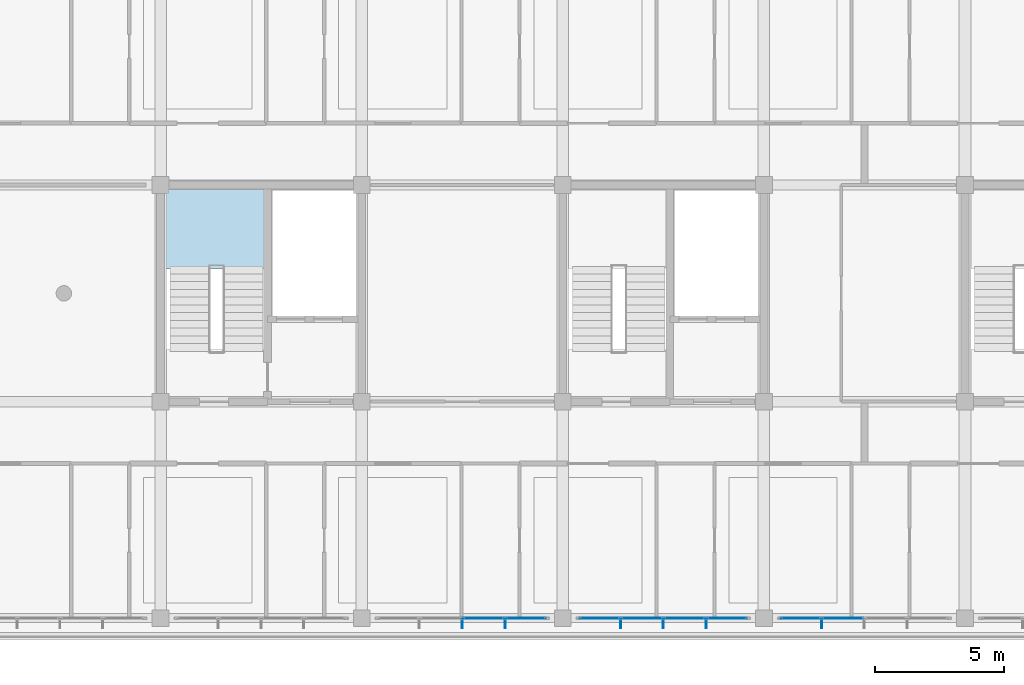
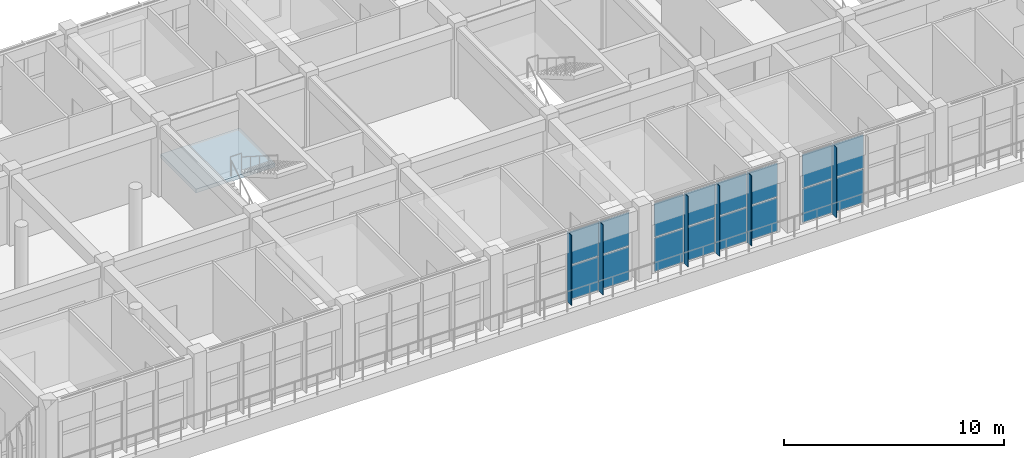
# One storey, part 40 of 63: 22 plates, 1 slab, 4 elements without a shape of their own.
"""IFC4 building model written with IfcOpenShell, lengths in metres."""

from ifc_helpers import new_model, si_unit, direction, frame, origin, origin_2d, place, context, subcontext, project, spatial, polyline, rectangle, outline, extrude, material, layer, layer_set, type_object, element, aggregate, save


model = new_model("IFC4")

# Units and contexts
model_context = context("Model", 3, precision=1e-05, world=origin(), true_north=direction((0.0, 1.0)))
body_context = subcontext(model_context, "Body", "Model", "MODEL_VIEW")
ifc_project = project(units=[si_unit("LENGTHUNIT", "METRE"), si_unit("AREAUNIT", "SQUARE_METRE"), si_unit("VOLUMEUNIT", "CUBIC_METRE"), si_unit("PLANEANGLEUNIT", "RADIAN"), si_unit("MASSUNIT", "GRAM", prefix="KILO")], contexts=[model_context])

# Site, building, storey
site_placement = place(None, origin())
site = spatial("IfcSite", under=ifc_project, at=site_placement, CompositionType="ELEMENT")
building_placement = place(site_placement, origin())
building = spatial("IfcBuilding", under=site, at=building_placement, Name="Zizhar Promenade General Hospital", CompositionType="ELEMENT")
storey_placement = place(building_placement, frame((0.0, 0.0, 18.0)))
storey = spatial("IfcBuildingStorey", under=building, at=storey_placement, Name="L04", CompositionType="ELEMENT", Elevation=18.0)

# Curtain wall, plates
ifc_material_1 = material(Name="Anodised aluminium 6063-T6 and low-E glass", Category="aluminium")
ifc_layer_1 = layer(ifc_material_1, 0.159912109375)
ifc_layer_set_1 = layer_set([ifc_layer_1], Name="Anodised aluminium 6063-T6 and low-E glass")
curtain_wall_type = type_object("IfcCurtainWallType", Name="CW-WARD-RIB", PredefinedType="NOTDEFINED", material=ifc_layer_set_1)
curtain_wall_1_placement = place(storey_placement, origin())
curtain_wall_1 = element("IfcCurtainWall", 1, at=curtain_wall_1_placement, inside=storey, type_object=curtain_wall_type, Name="Ward Ribbon Curtain Wall L04-17-5", PredefinedType="NOTDEFINED")
ifc_material_2 = material(Name="Low-E solar-control glass", Category="glass")
ifc_layer_2 = layer(ifc_material_2, 0.031982421875)
ifc_layer_set_2 = layer_set([ifc_layer_2], Name="Low-E solar-control glass")
plate_type_1 = type_object("IfcPlateType", Name="CWP-GLZ-32", PredefinedType="CURTAIN_PANEL", material=ifc_layer_set_2)
plate_1_placement = place(storey_placement, frame((73.27001953125, 0.0, 0.06005859375), z_axis=(0.0, 0.0, 1.0), x_axis=(-1.0, 0.0, 0.0)))
plate_1 = element("IfcPlate", 2, at=plate_1_placement, type_object=plate_type_1, Name="CW-13 panel 3.1", PredefinedType="CURTAIN_PANEL", context=body_context, shape_type="SweptSolid", body=[
    extrude(rectangle(XDim=1.580078125, YDim=0.031982421875, at=origin_2d()), origin(), (0.0, 0.0, 1.0), 1.860107421875),
])
plate_2_placement = place(storey_placement, frame((73.27001953125, 0.0, 1.97998046875), z_axis=(0.0, 0.0, 1.0), x_axis=(-1.0, 0.0, 0.0)))
plate_2 = element("IfcPlate", 3, at=plate_2_placement, type_object=plate_type_1, Name="CW-13 panel 3.2", PredefinedType="CURTAIN_PANEL", context=body_context, shape_type="SweptSolid", body=[
    extrude(rectangle(XDim=1.580078125, YDim=0.031982421875, at=origin_2d()), origin(), (0.0, 0.0, 1.0), 1.860107421875),
])
plate_3_placement = place(storey_placement, frame((71.6298828125, 0.0, 0.06005859375), z_axis=(0.0, 0.0, 1.0), x_axis=(-1.0, 0.0, 0.0)))
plate_3 = element("IfcPlate", 4, at=plate_3_placement, type_object=plate_type_1, Name="CW-13 panel 4.1", PredefinedType="CURTAIN_PANEL", context=body_context, shape_type="SweptSolid", body=[
    extrude(rectangle(XDim=1.5400390625, YDim=0.031982421875, at=origin_2d()), origin(), (0.0, 0.0, 1.0), 1.860107421875),
])
plate_4_placement = place(storey_placement, frame((71.6298828125, 0.0, 1.97998046875), z_axis=(0.0, 0.0, 1.0), x_axis=(-1.0, 0.0, 0.0)))
plate_4 = element("IfcPlate", 5, at=plate_4_placement, type_object=plate_type_1, Name="CW-13 panel 4.2", PredefinedType="CURTAIN_PANEL", context=body_context, shape_type="SweptSolid", body=[
    extrude(rectangle(XDim=1.5400390625, YDim=0.031982421875, at=origin_2d()), origin(), (0.0, 0.0, 1.0), 1.860107421875),
])
aggregate(curtain_wall_1, [plate_1, plate_2, plate_3, plate_4])

curtain_wall_2_placement = place(storey_placement, origin())
curtain_wall_2 = element("IfcCurtainWall", 6, at=curtain_wall_2_placement, inside=storey, type_object=curtain_wall_type, Name="Ward Ribbon Curtain Wall L04-17-6", PredefinedType="NOTDEFINED")
plate_5_placement = place(storey_placement, frame((68.77001953125, 0.0, 0.06005859375), z_axis=(0.0, 0.0, 1.0), x_axis=(-1.0, 0.0, 0.0)))
plate_5 = element("IfcPlate", 7, at=plate_5_placement, type_object=plate_type_1, Name="CW-13 panel 1.1", PredefinedType="CURTAIN_PANEL", context=body_context, shape_type="SweptSolid", body=[
    extrude(rectangle(XDim=1.5400390625, YDim=0.031982421875, at=origin_2d()), origin(), (0.0, 0.0, 1.0), 1.860107421875),
])
plate_6_placement = place(storey_placement, frame((68.77001953125, 0.0, 1.97998046875), z_axis=(0.0, 0.0, 1.0), x_axis=(-1.0, 0.0, 0.0)))
plate_6 = element("IfcPlate", 8, at=plate_6_placement, type_object=plate_type_1, Name="CW-13 panel 1.2", PredefinedType="CURTAIN_PANEL", context=body_context, shape_type="SweptSolid", body=[
    extrude(rectangle(XDim=1.5400390625, YDim=0.031982421875, at=origin_2d()), origin(), (0.0, 0.0, 1.0), 1.860107421875),
])
plate_7_placement = place(storey_placement, frame((67.1298828125, 0.0, 0.06005859375), z_axis=(0.0, 0.0, 1.0), x_axis=(-1.0, 0.0, 0.0)))
plate_7 = element("IfcPlate", 9, at=plate_7_placement, type_object=plate_type_1, Name="CW-13 panel 2.1", PredefinedType="CURTAIN_PANEL", context=body_context, shape_type="SweptSolid", body=[
    extrude(rectangle(XDim=1.580078125, YDim=0.031982421875, at=origin_2d()), origin(), (0.0, 0.0, 1.0), 1.860107421875),
])
plate_8_placement = place(storey_placement, frame((67.1298828125, 0.0, 1.97998046875), z_axis=(0.0, 0.0, 1.0), x_axis=(-1.0, 0.0, 0.0)))
plate_8 = element("IfcPlate", 10, at=plate_8_placement, type_object=plate_type_1, Name="CW-13 panel 2.2", PredefinedType="CURTAIN_PANEL", context=body_context, shape_type="SweptSolid", body=[
    extrude(rectangle(XDim=1.580078125, YDim=0.031982421875, at=origin_2d()), origin(), (0.0, 0.0, 1.0), 1.860107421875),
])
plate_9_placement = place(storey_placement, frame((65.469970703125, 0.0, 0.06005859375), z_axis=(0.0, 0.0, 1.0), x_axis=(-1.0, 0.0, 0.0)))
plate_9 = element("IfcPlate", 11, at=plate_9_placement, type_object=plate_type_1, Name="CW-13 panel 3.1", PredefinedType="CURTAIN_PANEL", context=body_context, shape_type="SweptSolid", body=[
    extrude(rectangle(XDim=1.580078125, YDim=0.031982421875, at=origin_2d()), origin(), (0.0, 0.0, 1.0), 1.860107421875),
])
plate_10_placement = place(storey_placement, frame((65.469970703125, 0.0, 1.97998046875), z_axis=(0.0, 0.0, 1.0), x_axis=(-1.0, 0.0, 0.0)))
plate_10 = element("IfcPlate", 12, at=plate_10_placement, type_object=plate_type_1, Name="CW-13 panel 3.2", PredefinedType="CURTAIN_PANEL", context=body_context, shape_type="SweptSolid", body=[
    extrude(rectangle(XDim=1.580078125, YDim=0.031982421875, at=origin_2d()), origin(), (0.0, 0.0, 1.0), 1.860107421875),
])
plate_11_placement = place(storey_placement, frame((63.830078125, 0.0, 0.06005859375), z_axis=(0.0, 0.0, 1.0), x_axis=(-1.0, 0.0, 0.0)))
plate_11 = element("IfcPlate", 13, at=plate_11_placement, type_object=plate_type_1, Name="CW-13 panel 4.1", PredefinedType="CURTAIN_PANEL", context=body_context, shape_type="SweptSolid", body=[
    extrude(rectangle(XDim=1.5400390625, YDim=0.031982421875, at=origin_2d()), origin(), (0.0, 0.0, 1.0), 1.860107421875),
])
plate_12_placement = place(storey_placement, frame((63.830078125, 0.0, 1.97998046875), z_axis=(0.0, 0.0, 1.0), x_axis=(-1.0, 0.0, 0.0)))
plate_12 = element("IfcPlate", 14, at=plate_12_placement, type_object=plate_type_1, Name="CW-13 panel 4.2", PredefinedType="CURTAIN_PANEL", context=body_context, shape_type="SweptSolid", body=[
    extrude(rectangle(XDim=1.5400390625, YDim=0.031982421875, at=origin_2d()), origin(), (0.0, 0.0, 1.0), 1.860107421875),
])
aggregate(curtain_wall_2, [plate_5, plate_6, plate_7, plate_8, plate_9, plate_10, plate_11, plate_12])

curtain_wall_3_placement = place(storey_placement, origin())
curtain_wall_3 = element("IfcCurtainWall", 15, at=curtain_wall_3_placement, inside=storey, type_object=curtain_wall_type, Name="Ward Ribbon Curtain Wall L04-17-7", PredefinedType="NOTDEFINED")
plate_13_placement = place(storey_placement, frame((60.969970703125, 0.0, 0.06005859375), z_axis=(0.0, 0.0, 1.0), x_axis=(-1.0, 0.0, 0.0)))
plate_13 = element("IfcPlate", 16, at=plate_13_placement, type_object=plate_type_1, Name="CW-13 panel 1.1", PredefinedType="CURTAIN_PANEL", context=body_context, shape_type="SweptSolid", body=[
    extrude(rectangle(XDim=1.5400390625, YDim=0.031982421875, at=origin_2d()), origin(), (0.0, 0.0, 1.0), 1.860107421875),
])
plate_14_placement = place(storey_placement, frame((60.969970703125, 0.0, 1.97998046875), z_axis=(0.0, 0.0, 1.0), x_axis=(-1.0, 0.0, 0.0)))
plate_14 = element("IfcPlate", 17, at=plate_14_placement, type_object=plate_type_1, Name="CW-13 panel 1.2", PredefinedType="CURTAIN_PANEL", context=body_context, shape_type="SweptSolid", body=[
    extrude(rectangle(XDim=1.5400390625, YDim=0.031982421875, at=origin_2d()), origin(), (0.0, 0.0, 1.0), 1.860107421875),
])
plate_15_placement = place(storey_placement, frame((59.330078125, 0.0, 0.06005859375), z_axis=(0.0, 0.0, 1.0), x_axis=(-1.0, 0.0, 0.0)))
plate_15 = element("IfcPlate", 18, at=plate_15_placement, type_object=plate_type_1, Name="CW-13 panel 2.1", PredefinedType="CURTAIN_PANEL", context=body_context, shape_type="SweptSolid", body=[
    extrude(rectangle(XDim=1.580078125, YDim=0.031982421875, at=origin_2d()), origin(), (0.0, 0.0, 1.0), 1.860107421875),
])
plate_16_placement = place(storey_placement, frame((59.330078125, 0.0, 1.97998046875), z_axis=(0.0, 0.0, 1.0), x_axis=(-1.0, 0.0, 0.0)))
plate_16 = element("IfcPlate", 19, at=plate_16_placement, type_object=plate_type_1, Name="CW-13 panel 2.2", PredefinedType="CURTAIN_PANEL", context=body_context, shape_type="SweptSolid", body=[
    extrude(rectangle(XDim=1.580078125, YDim=0.031982421875, at=origin_2d()), origin(), (0.0, 0.0, 1.0), 1.860107421875),
])
aggregate(curtain_wall_3, [plate_13, plate_14, plate_15, plate_16])

# Plates
ifc_material_3 = material(Name="Anodised aluminium 6063-T6", Category="aluminium")
ifc_layer_3 = layer(ifc_material_3, 0.035888671875)
ifc_layer_set_3 = layer_set([ifc_layer_3], Name="Anodised aluminium 6063-T6")
plate_type_2 = type_object("IfcPlateType", Name="FIN-ALU-380", PredefinedType="USERDEFINED", material=ifc_layer_set_3)
plate_17_placement = place(storey_placement, origin())
element("IfcPlate", 20, at=plate_17_placement, inside=storey, type_object=plate_type_2, Name="Ward Ribbon Curtain Wall L04-17-5 Solar Fin 3", ObjectType="SOLAR_SHADE", PredefinedType="USERDEFINED", context=body_context, shape_type="SweptSolid", body=[
    extrude(outline(polyline([(72.4580078125, 0.0), (72.422119140625, 0.0), (72.422119140625, -0.3798828125), (72.4580078125, -0.3798828125), (72.4580078125, 0.0)])), origin(), (0.0, 0.0, 1.0), 3.89990234375),
])
plate_18_placement = place(storey_placement, origin())
element("IfcPlate", 21, at=plate_18_placement, inside=storey, type_object=plate_type_2, Name="Ward Ribbon Curtain Wall L04-17-6 Solar Fin 1", ObjectType="SOLAR_SHADE", PredefinedType="USERDEFINED", context=body_context, shape_type="SweptSolid", body=[
    extrude(outline(polyline([(67.97802734375, 0.0), (67.94189453125, 0.0), (67.94189453125, -0.3798828125), (67.97802734375, -0.3798828125), (67.97802734375, 0.0)])), origin(), (0.0, 0.0, 1.0), 3.89990234375),
])
plate_19_placement = place(storey_placement, origin())
element("IfcPlate", 22, at=plate_19_placement, inside=storey, type_object=plate_type_2, Name="Ward Ribbon Curtain Wall L04-17-6 Solar Fin 2", ObjectType="SOLAR_SHADE", PredefinedType="USERDEFINED", context=body_context, shape_type="SweptSolid", body=[
    extrude(outline(polyline([(66.318115234375, 0.0), (66.281982421875, 0.0), (66.281982421875, -0.3798828125), (66.318115234375, -0.3798828125), (66.318115234375, 0.0)])), origin(), (0.0, 0.0, 1.0), 3.89990234375),
])
plate_20_placement = place(storey_placement, origin())
element("IfcPlate", 23, at=plate_20_placement, inside=storey, type_object=plate_type_2, Name="Ward Ribbon Curtain Wall L04-17-6 Solar Fin 3", ObjectType="SOLAR_SHADE", PredefinedType="USERDEFINED", context=body_context, shape_type="SweptSolid", body=[
    extrude(outline(polyline([(64.657958984375, 0.0), (64.6220703125, 0.0), (64.6220703125, -0.3798828125), (64.657958984375, -0.3798828125), (64.657958984375, 0.0)])), origin(), (0.0, 0.0, 1.0), 3.89990234375),
])
plate_21_placement = place(storey_placement, origin())
element("IfcPlate", 24, at=plate_21_placement, inside=storey, type_object=plate_type_2, Name="Ward Ribbon Curtain Wall L04-17-7 Solar Fin 1", ObjectType="SOLAR_SHADE", PredefinedType="USERDEFINED", context=body_context, shape_type="SweptSolid", body=[
    extrude(outline(polyline([(60.177978515625, 0.0), (60.14208984375, 0.0), (60.14208984375, -0.3798828125), (60.177978515625, -0.3798828125), (60.177978515625, 0.0)])), origin(), (0.0, 0.0, 1.0), 3.89990234375),
])
plate_22_placement = place(storey_placement, origin())
element("IfcPlate", 25, at=plate_22_placement, inside=storey, type_object=plate_type_2, Name="Ward Ribbon Curtain Wall L04-17-7 Solar Fin 2", ObjectType="SOLAR_SHADE", PredefinedType="USERDEFINED", context=body_context, shape_type="SweptSolid", body=[
    extrude(outline(polyline([(58.51806640625, 0.0), (58.48193359375, 0.0), (58.48193359375, -0.3798828125), (58.51806640625, -0.3798828125), (58.51806640625, 0.0)])), origin(), (0.0, 0.0, 1.0), 3.89990234375),
])

# Stair, slab
ifc_material_4 = material(Name="Concrete C35/45", Category="concrete")
stair_type = type_object("IfcStairType", Name="STR-DOG-420", PredefinedType="HALF_TURN_STAIR", material=ifc_material_4)
stair_placement = place(storey_placement, origin())
stair = element("IfcStair", 26, at=stair_placement, inside=storey, type_object=stair_type, Name="Exit Stair ST-02 (L04 to L05)", PredefinedType="HALF_TURN_STAIR")
ifc_material_5 = material(Name="Concrete C35/45", Category="concrete")
ifc_layer_4 = layer(ifc_material_5, 0.2099609375)
ifc_layer_set_4 = layer_set([ifc_layer_4], Name="Concrete C35/45")
slab_type = type_object("IfcSlabType", Name="SLB-LAND-420", PredefinedType="LANDING", material=ifc_layer_set_4)
slab_placement = place(storey_placement, frame((0.0, 0.0, 1.889892578125)))
slab = element("IfcSlab", 27, at=slab_placement, type_object=slab_type, Name="ST-02C landing 1", PredefinedType="LANDING", context=body_context, shape_type="SweptSolid", body=[
    extrude(outline(polyline([(46.800048828125, 13.570068359375), (50.949951171875, 13.570068359375), (50.949951171875, 16.800048828125), (46.800048828125, 16.800048828125), (46.800048828125, 13.570068359375)])), origin(), (0.0, 0.0, 1.0), 0.210205078125),
])
aggregate(stair, [slab])

save(model, "model.ifc")
